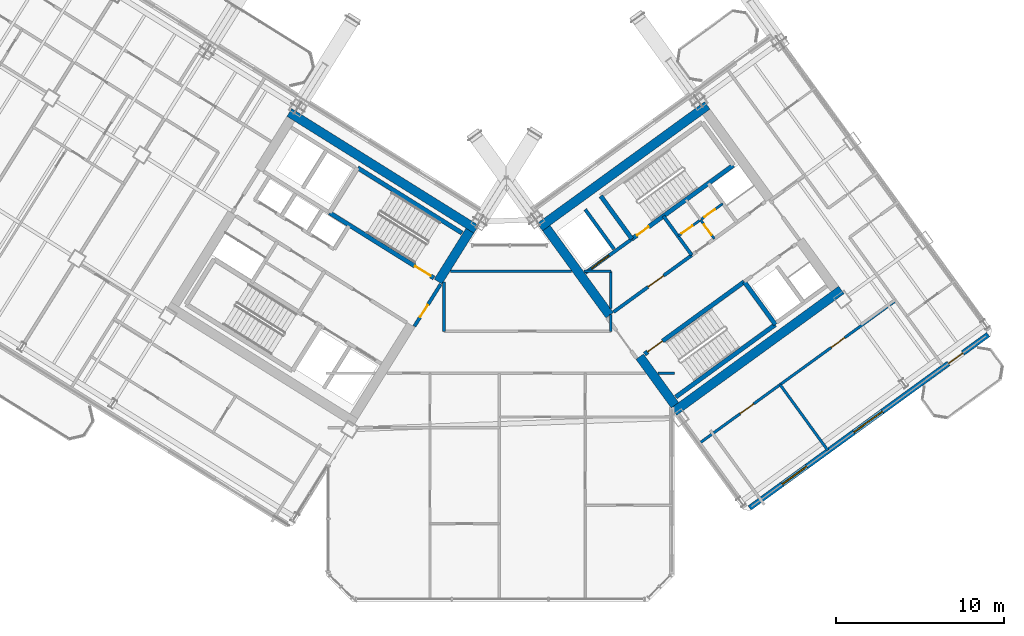
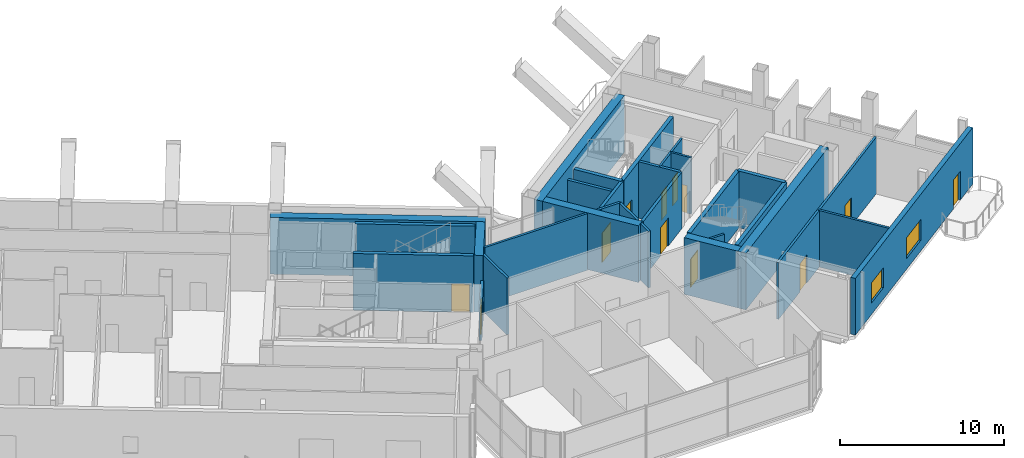
# One storey, part 25 of 34: 29 walls, 12 doors, 2 windows, 14 openings.
"""IFC4 building model written with IfcOpenShell, lengths in metres."""

from ifc_helpers import new_model, si_unit, direction, frame, frame_2d, origin, place, context, subcontext, project, spatial, rectangle, extrude, source, transform, mapped, material, layer, layer_set, type_object, element, fill, save


model = new_model("IFC4")

# Units and contexts
model_context = context("Model", 3, precision=1e-05, world=origin(), true_north=direction((0.0, 1.0)))
body_context = subcontext(model_context, "Body", "Model", "MODEL_VIEW")
ifc_project = project(units=[si_unit("LENGTHUNIT", "METRE"), si_unit("AREAUNIT", "SQUARE_METRE"), si_unit("VOLUMEUNIT", "CUBIC_METRE"), si_unit("PLANEANGLEUNIT", "RADIAN"), si_unit("MASSUNIT", "GRAM", prefix="KILO")], contexts=[model_context])

# Site, building, storey
site_placement = place(None, origin())
site = spatial("IfcSite", under=ifc_project, at=site_placement, CompositionType="ELEMENT")
building_placement = place(site_placement, origin())
building = spatial("IfcBuilding", under=site, at=building_placement, Name="Tlacorven Tower", CompositionType="ELEMENT")
storey_placement = place(building_placement, frame((0.0, 0.0, 174.89990234375)))
storey = spatial("IfcBuildingStorey", under=building, at=storey_placement, Name="L44", CompositionType="ELEMENT", Elevation=174.89990234375)

# Walls
ifc_material_1 = material(Name="Concrete C60/75", Category="concrete")
ifc_layer_1 = layer(ifc_material_1, 0.550048828125)
ifc_layer_set_1 = layer_set([ifc_layer_1], Name="Concrete C60/75")
wall_type_1 = type_object("IfcWallType", Name="WL-COR-550", PredefinedType="SHEAR", material=ifc_layer_set_1)
wall_1_placement = place(storey_placement, frame((40.572998046875, 24.010009765625, 0.0), z_axis=(0.0, 0.0, 1.0), x_axis=(-0.848047359947, 0.529920442413, 0.0)))
element("IfcWall", 1, at=wall_1_placement, inside=storey, type_object=wall_type_1, Name="L44 W core shear wall S1", PredefinedType="SHEAR", context=body_context, shape_type="SweptSolid", body=[
    extrude(rectangle(XDim=13.139892578125, YDim=0.550048828125, at=frame_2d((6.56982421875, 0.0))), origin(), (0.0, 0.0, 1.0), 4.22021484375),
])
wall_2_placement = place(storey_placement, frame((40.194091796875, 23.92236328125, 0.0), z_axis=(0.0, 0.0, 1.0), x_axis=(-0.529888438328, -0.848067357541, 0.0)))
element("IfcWall", 2, at=wall_2_placement, inside=storey, type_object=wall_type_1, Name="L44 W core end wall E1.1", PredefinedType="SHEAR", context=body_context, shape_type="SweptSolid", body=[
    extrude(rectangle(XDim=3.574951171875, YDim=0.550048828125, at=frame_2d((1.78759765625, 0.0))), origin(), (0.0, 0.0, 1.0), 4.22021484375),
])
for number, where, z_axis, x_axis, name in (
    (3, (52.35888671875, 13.1396484375, 0.0), (0.0, 0.0, 1.0), (0.809014896919, 0.587788139183, 0.0), "L44 E core shear wall S1"),
    (4, (44.364990234375, 24.142333984375, 0.0), (0.0, 0.0, 1.0), (0.809024304885, 0.587775190107, 0.0), "L44 E core shear wall S2"),
):
    element("IfcWall", number, at=place(storey_placement, frame(where, z_axis=z_axis, x_axis=x_axis)), inside=storey, type_object=wall_type_1, Name=name, PredefinedType="SHEAR", context=body_context, shape_type="SweptSolid", body=[
        extrude(rectangle(XDim=12.340087890625, YDim=0.550048828125, at=frame_2d((6.169921875, 0.0))), origin(), (0.0, 0.0, 1.0), 4.22021484375),
    ])
wall_3_placement = place(storey_placement, frame((52.419677734375, 13.52392578125, 0.0), z_axis=(0.0, 0.0, 1.0), x_axis=(-0.587802113096, 0.809004744015, 0.0)))
element("IfcWall", 5, at=wall_3_placement, inside=storey, type_object=wall_type_1, Name="L44 E core end wall E1.1", PredefinedType="SHEAR", context=body_context, shape_type="SweptSolid", body=[
    extrude(rectangle(XDim=3.574951171875, YDim=0.550048828125, at=frame_2d((1.78759765625, 0.0))), origin(), (0.0, 0.0, 1.0), 4.22021484375),
])
wall_4_placement = place(storey_placement, frame((48.525634765625, 18.883544921875, 0.0), z_axis=(0.0, 0.0, 1.0), x_axis=(-0.587764933797, 0.809031756236, 0.0)))
element("IfcWall", 6, at=wall_4_placement, inside=storey, type_object=wall_type_1, Name="L44 E core end wall E1.2", PredefinedType="SHEAR", context=body_context, shape_type="SweptSolid", body=[
    extrude(rectangle(XDim=6.425048828125, YDim=0.550048828125, at=frame_2d((3.21240234375, 0.0))), origin(), (0.0, 0.0, 1.0), 4.22021484375),
])
ifc_material_2 = material(Name="Gypsum plasterboard acoustic partition", Category="gypsum")
ifc_layer_2 = layer(ifc_material_2, 0.159912109375)
ifc_layer_set_2 = layer_set([ifc_layer_2], Name="Gypsum plasterboard acoustic partition")
wall_type_2 = type_object("IfcWallType", Name="WL-DEM-160", PredefinedType="PARTITIONING", material=ifc_layer_set_2)
wall_5_placement = place(storey_placement, frame((51.41552734375, 15.419921875, 0.0), z_axis=(0.0, 0.0, 1.0), x_axis=(1.0, 0.0, 0.0)))
element("IfcWall", 7, at=wall_5_placement, inside=storey, type_object=wall_type_2, Name="L44 Knuckle Corridor South Wall", PredefinedType="PARTITIONING", context=body_context, shape_type="SweptSolid", body=[
    extrude(rectangle(XDim=0.984375, YDim=0.159912109375, at=frame_2d((0.4921875, 0.0))), origin(), (0.0, 0.0, 1.0), 4.210205078125),
])
wall_6_placement = place(storey_placement, frame((38.64990234375, 17.929931640625, 0.0), z_axis=(0.0, 0.0, 1.0), x_axis=(0.0, 1.0, 0.0)))
element("IfcWall", 8, at=wall_6_placement, inside=storey, type_object=wall_type_2, Name="L44 partition 72", PredefinedType="PARTITIONING", context=body_context, shape_type="SweptSolid", body=[
    extrude(rectangle(XDim=2.951416015625, YDim=0.159912109375, at=frame_2d((1.4755859375, 0.0))), origin(), (0.0, 0.0, 1.0), 4.210205078125),
])
wall_7_placement = place(storey_placement, frame((48.60009765625, 17.929931640625, 0.0), z_axis=(0.0, 0.0, 1.0), x_axis=(0.0, 1.0, 0.0)))
element("IfcWall", 9, at=wall_7_placement, inside=storey, type_object=wall_type_2, Name="L44 partition 73", PredefinedType="PARTITIONING", context=body_context, shape_type="SweptSolid", body=[
    extrude(rectangle(XDim=0.99267578125, YDim=0.159912109375, at=frame_2d((0.496337890625, 0.0))), origin(), (0.0, 0.0, 1.0), 4.210205078125),
])
wall_8_placement = place(storey_placement, frame((48.60009765625, 19.295166015625, 0.0), z_axis=(0.0, 0.0, 1.0), x_axis=(0.0, 1.0, 0.0)))
element("IfcWall", 10, at=wall_8_placement, inside=storey, type_object=wall_type_2, Name="L44 partition 73", PredefinedType="PARTITIONING", context=body_context, shape_type="SweptSolid", body=[
    extrude(rectangle(XDim=2.204833984375, YDim=0.159912109375, at=frame_2d((1.1025390625, 0.0))), origin(), (0.0, 0.0, 1.0), 4.210205078125),
])
wall_9_placement = place(storey_placement, frame((39.03662109375, 21.5, 0.0), z_axis=(0.0, 0.0, 1.0), x_axis=(1.0, 0.0, 0.0)))
element("IfcWall", 11, at=wall_9_placement, inside=storey, type_object=wall_type_2, Name="L44 partition 74", PredefinedType="PARTITIONING", context=body_context, shape_type="SweptSolid", body=[
    extrude(rectangle(XDim=7.21484375, YDim=0.159912109375, at=frame_2d((3.607421875, 0.0))), origin(), (0.0, 0.0, 1.0), 4.210205078125),
])
wall_10_placement = place(storey_placement, frame((46.998046875, 21.5, 0.0), z_axis=(0.0, 0.0, 1.0), x_axis=(1.0, 0.0, 0.0)))
element("IfcWall", 12, at=wall_10_placement, inside=storey, type_object=wall_type_2, Name="L44 partition 74", PredefinedType="PARTITIONING", context=body_context, shape_type="SweptSolid", body=[
    extrude(rectangle(XDim=1.60205078125, YDim=0.159912109375, at=frame_2d((0.801025390625, 0.0))), origin(), (0.0, 0.0, 1.0), 4.210205078125),
])

# Wall, openings, doors
wall_11_placement = place(storey_placement, frame((53.70458984375, 11.1259765625, 0.0), z_axis=(0.0, 0.0, 1.0), x_axis=(0.809014504436, 0.587788679384, 0.0)))
wall_11 = element("IfcWall", 13, at=wall_11_placement, inside=storey, type_object=wall_type_2, Name="L44 partition 95", PredefinedType="PARTITIONING", context=body_context, shape_type="SweptSolid", body=[
    extrude(rectangle(XDim=14.669921875, YDim=0.159912109375, at=frame_2d((7.3349609375, 0.0))), origin(), (0.0, 0.0, 1.0), 4.210205078125),
])
opening_1_placement = place(wall_11_placement, frame((3.215087890625, 0.0, 0.0)))
opening_1 = element("IfcOpeningElement", 14, at=opening_1_placement, cuts=wall_11, Name="Opening D11", PredefinedType="OPENING", context=body_context, shape_type="SweptSolid", body=[
    extrude(rectangle(XDim=1.0, YDim=2.10009765625, at=frame_2d((0.5, 1.050048828125))), frame((0.0, 0.08984375, 0.0), z_axis=(0.0, -1.0, 0.0), x_axis=(1.0, 0.0, 0.0)), (0.0, 0.0, 1.0), 0.179931640625),
])
opening_2_placement = place(wall_11_placement, frame((9.9150390625, 0.0, 0.0)))
opening_2 = element("IfcOpeningElement", 15, at=opening_2_placement, cuts=wall_11, Name="Opening D11", PredefinedType="OPENING", context=body_context, shape_type="SweptSolid", body=[
    extrude(rectangle(XDim=1.0, YDim=2.10009765625, at=frame_2d((0.5, 1.050048828125))), frame((0.0, 0.08984375, 0.0), z_axis=(0.0, -1.0, 0.0), x_axis=(1.0, 0.0, 0.0)), (0.0, 0.0, 1.0), 0.179931640625),
])
ifc_material_3 = material(Name="Fire-rated steel door assembly", Category="steel")
door_type_1 = type_object("IfcDoorType", Name="DR-FLT-FD60-1000", OperationType="NOTDEFINED", PredefinedType="DOOR", material=ifc_material_3)
shared_shape_1 = source(origin(), body_context, "Body", "SweptSolid", [
    extrude(rectangle(XDim=1.0, YDim=2.10009765625, at=frame_2d((0.5, 1.050048828125))), frame((0.0, 0.02490234375, 0.0), z_axis=(0.0, -1.0, 0.0), x_axis=(1.0, 0.0, 0.0)), (0.0, 0.0, 1.0), 0.050048828125),
])
door_1_placement = place(opening_1_placement, origin())
door_1 = element("IfcDoor", 16, at=door_1_placement, inside=storey, type_object=door_type_1, Name="L44 door 061", OperationType="SINGLE_SWING_RIGHT", OverallHeight=2.10009765625, OverallWidth=1.0, PredefinedType="DOOR", context=body_context, shape_type="MappedRepresentation", body=[
    mapped(shared_shape_1, transform((0.0, 0.0, 0.0), scale=1.0)),
])
fill(opening_1, door_1)
door_2_placement = place(opening_2_placement, origin())
door_2 = element("IfcDoor", 17, at=door_2_placement, inside=storey, type_object=door_type_1, Name="L44 door 062", OperationType="SINGLE_SWING_LEFT", OverallHeight=2.10009765625, OverallWidth=1.0, PredefinedType="DOOR", context=body_context, shape_type="MappedRepresentation", body=[
    mapped(shared_shape_1, transform((0.0, 0.0, 0.0), scale=1.0)),
])
fill(opening_2, door_2)

# Wall
wall_12_placement = place(storey_placement, frame((61.538818359375, 10.822998046875, 0.0), z_axis=(0.0, 0.0, 1.0), x_axis=(-0.587785532001, 0.809016791155, 0.0)))
element("IfcWall", 18, at=wall_12_placement, inside=storey, type_object=wall_type_2, Name="L44 EC Demising Wall 1", PredefinedType="PARTITIONING", context=body_context, shape_type="SweptSolid", body=[
    extrude(rectangle(XDim=4.85009765625, YDim=0.159912109375, at=frame_2d((2.425048828125, 0.0))), origin(), (0.0, 0.0, 1.0), 4.210205078125),
])

# Wall, openings, door, windows
ifc_material_4 = material(Name="Precast concrete C45/55", Category="concrete")
ifc_layer_3 = layer(ifc_material_4, 0.320068359375)
ifc_layer_set_3 = layer_set([ifc_layer_3], Name="Precast concrete C45/55")
wall_type_3 = type_object("IfcWallType", Name="WL-EXT-320", PredefinedType="STANDARD", material=ifc_layer_set_3)
wall_13_placement = place(storey_placement, frame((71.097900390625, 17.73095703125, 0.0), z_axis=(0.0, 0.0, 1.0), x_axis=(-0.809021120468, -0.587779573171, 0.0)))
wall_13 = element("IfcWall", 19, at=wall_13_placement, inside=storey, type_object=wall_type_3, Name="L44 Masonry-Frame Recessed Facade Wall 6", PredefinedType="STANDARD", context=body_context, shape_type="SweptSolid", body=[
    extrude(rectangle(XDim=17.587646484375, YDim=0.320068359375, at=frame_2d((8.7939453125, 0.0))), origin(), (0.0, 0.0, 1.0), 4.22021484375),
])
opening_3_placement = place(wall_13_placement, frame((1.87548828125, 0.0, 0.0)))
opening_3 = element("IfcOpeningElement", 20, at=opening_3_placement, cuts=wall_13, Name="Opening D06", PredefinedType="OPENING", context=body_context, shape_type="SweptSolid", body=[
    extrude(rectangle(XDim=1.050048828125, YDim=2.14990234375, at=frame_2d((0.52490234375, 1.074951171875))), frame((0.0, 0.169921875, 0.0), z_axis=(0.0, -1.0, 0.0), x_axis=(1.0, 0.0, 0.0)), (0.0, 0.0, 1.0), 0.340087890625),
])
opening_4_placement = place(wall_13_placement, frame((7.800537109375, 0.0, 0.800048828125)))
opening_4 = element("IfcOpeningElement", 21, at=opening_4_placement, cuts=wall_13, Name="Opening WN04", PredefinedType="OPENING", context=body_context, shape_type="SweptSolid", body=[
    extrude(rectangle(XDim=2.10009765625, YDim=1.550048828125, at=frame_2d((1.050048828125, 0.77490234375))), frame((0.0, 0.169921875, 0.0), z_axis=(0.0, -1.0, 0.0), x_axis=(1.0, 0.0, 0.0)), (0.0, 0.0, 1.0), 0.340087890625),
])
opening_5_placement = place(wall_13_placement, frame((13.378662109375, 0.0, 0.85009765625)))
opening_5 = element("IfcOpeningElement", 22, at=opening_5_placement, cuts=wall_13, Name="Opening WN01", PredefinedType="OPENING", context=body_context, shape_type="SweptSolid", body=[
    extrude(rectangle(XDim=1.800048828125, YDim=1.5, at=frame_2d((0.89990234375, 0.75))), frame((0.0, 0.169921875, 0.0), z_axis=(0.0, -1.0, 0.0), x_axis=(1.0, 0.0, 0.0)), (0.0, 0.0, 1.0), 0.340087890625),
])
ifc_material_5 = material(Name="Powder-coated aluminium and timber door", Category="wood")
door_type_2 = type_object("IfcDoorType", Name="DR-EXT-BALC-1050", OperationType="NOTDEFINED", PredefinedType="DOOR", material=ifc_material_5)
shared_shape_2 = source(origin(), body_context, "Body", "SweptSolid", [
    extrude(rectangle(XDim=1.050048828125, YDim=2.14990234375, at=frame_2d((0.52490234375, 1.074951171875))), frame((0.0, 0.02490234375, 0.0), z_axis=(0.0, -1.0, 0.0), x_axis=(1.0, 0.0, 0.0)), (0.0, 0.0, 1.0), 0.050048828125),
])
door_3_placement = place(opening_3_placement, origin())
door_3 = element("IfcDoor", 23, at=door_3_placement, inside=storey, type_object=door_type_2, Name="L44 Outdoor Access Door BAL-L44-E-OUT", OperationType="SINGLE_SWING_LEFT", OverallHeight=2.14990234375, OverallWidth=1.050048828125, PredefinedType="DOOR", context=body_context, shape_type="MappedRepresentation", body=[
    mapped(shared_shape_2, transform((0.0, 0.0, 0.0), scale=1.0)),
])
fill(opening_3, door_3)
ifc_material_6 = material(Name="Dark solar low-E double glazing in anodised aluminium frame", Category="aluminium")
window_type_1 = type_object("IfcWindowType", Name="WN-APT-2100X1750", PartitioningType="SINGLE_PANEL", PredefinedType="WINDOW", material=ifc_material_6)
shared_shape_3 = source(origin(), body_context, "Body", "SweptSolid", [
    extrude(rectangle(XDim=2.10009765625, YDim=1.550048828125, at=frame_2d((1.050048828125, 0.77490234375))), frame((0.0, 0.030029296875, 0.0), z_axis=(0.0, -1.0, 0.0), x_axis=(1.0, 0.0, 0.0)), (0.0, 0.0, 1.0), 0.06005859375),
])
window_1_placement = place(opening_4_placement, origin())
window_1 = element("IfcWindow", 24, at=window_1_placement, inside=storey, type_object=window_type_1, Name="L44 Recessed Masonry-Frame Window L44-06.1", OverallHeight=1.550048828125, OverallWidth=2.10009765625, PartitioningType="SINGLE_PANEL", PredefinedType="WINDOW", context=body_context, shape_type="MappedRepresentation", body=[
    mapped(shared_shape_3, transform((0.0, 0.0, 0.0), scale=1.0)),
])
fill(opening_4, window_1)
window_type_2 = type_object("IfcWindowType", Name="WN-APT-1800X1650", PartitioningType="SINGLE_PANEL", PredefinedType="WINDOW", material=ifc_material_6)
shared_shape_4 = source(origin(), body_context, "Body", "SweptSolid", [
    extrude(rectangle(XDim=1.800048828125, YDim=1.5, at=frame_2d((0.89990234375, 0.75))), frame((0.0, 0.030029296875, 0.0), z_axis=(0.0, -1.0, 0.0), x_axis=(1.0, 0.0, 0.0)), (0.0, 0.0, 1.0), 0.06005859375),
])
window_2_placement = place(opening_5_placement, origin())
window_2 = element("IfcWindow", 25, at=window_2_placement, inside=storey, type_object=window_type_2, Name="L44 Recessed Masonry-Frame Window L44-06.2", OverallHeight=1.5, OverallWidth=1.800048828125, PartitioningType="SINGLE_PANEL", PredefinedType="WINDOW", context=body_context, shape_type="MappedRepresentation", body=[
    mapped(shared_shape_4, transform((0.0, 0.0, 0.0), scale=1.0)),
])
fill(opening_5, window_2)

# Wall, opening, door
ifc_material_7 = material(Name="Moisture-resistant gypsum plumbing wall", Category="gypsum")
ifc_layer_4 = layer(ifc_material_7, 0.139892578125)
ifc_layer_set_4 = layer_set([ifc_layer_4], Name="Moisture-resistant gypsum plumbing wall")
wall_type_4 = type_object("IfcWallType", Name="WL-PLM-140", PredefinedType="PLUMBINGWALL", material=ifc_layer_set_4)
wall_14_placement = place(storey_placement, frame((54.767578125, 23.443359375, 0.0), z_axis=(0.0, 0.0, 1.0), x_axis=(-0.587736077749, 0.809052719489, 0.0)))
wall_14 = element("IfcWall", 26, at=wall_14_placement, inside=storey, type_object=wall_type_4, Name="L44 partition 42", PredefinedType="PLUMBINGWALL", context=body_context, shape_type="SweptSolid", body=[
    extrude(rectangle(XDim=1.39990234375, YDim=0.139892578125, at=frame_2d((0.699951171875, 0.0))), origin(), (0.0, 0.0, 1.0), 4.210205078125),
])
opening_6_placement = place(wall_14_placement, frame((0.280029296875, 0.0, 0.0)))
opening_6 = element("IfcOpeningElement", 27, at=opening_6_placement, cuts=wall_14, Name="Opening D22", PredefinedType="OPENING", context=body_context, shape_type="SweptSolid", body=[
    extrude(rectangle(XDim=0.780029296875, YDim=2.050048828125, at=frame_2d((0.39013671875, 1.02490234375))), frame((0.0, 0.080078125, 0.0), z_axis=(0.0, -1.0, 0.0), x_axis=(1.0, 0.0, 0.0)), (0.0, 0.0, 1.0), 0.159912109375),
])
door_type_3 = type_object("IfcDoorType", Name="DR-INT-WET-0780", OperationType="NOTDEFINED", PredefinedType="DOOR", material=ifc_material_5)
shared_shape_5 = source(origin(), body_context, "Body", "SweptSolid", [
    extrude(rectangle(XDim=0.780029296875, YDim=2.050048828125, at=frame_2d((0.39013671875, 1.02490234375))), frame((0.0, 0.02490234375, 0.0), z_axis=(0.0, -1.0, 0.0), x_axis=(1.0, 0.0, 0.0)), (0.0, 0.0, 1.0), 0.050048828125),
])
door_4_placement = place(opening_6_placement, origin())
door_4 = element("IfcDoor", 28, at=door_4_placement, inside=storey, type_object=door_type_3, Name="L44 door 020", OperationType="SINGLE_SWING_RIGHT", OverallHeight=2.050048828125, OverallWidth=0.780029296875, PredefinedType="DOOR", context=body_context, shape_type="MappedRepresentation", body=[
    mapped(shared_shape_5, transform((0.0, 0.0, 0.0), scale=1.0)),
])
fill(opening_6, door_4)

# Wall, openings, doors
wall_15_placement = place(storey_placement, frame((52.617919921875, 23.612060546875, 0.0), z_axis=(0.0, 0.0, 1.0), x_axis=(0.809009587469, 0.587795446889, 0.0)))
wall_15 = element("IfcWall", 29, at=wall_15_placement, inside=storey, type_object=wall_type_4, Name="L44 partition 44", PredefinedType="PLUMBINGWALL", context=body_context, shape_type="SweptSolid", body=[
    extrude(rectangle(XDim=3.280029296875, YDim=0.139892578125, at=frame_2d((1.64013671875, 0.0))), origin(), (0.0, 0.0, 1.0), 4.210205078125),
])
opening_7_placement = place(wall_15_placement, frame((0.25, 0.0, 0.0)))
opening_7 = element("IfcOpeningElement", 30, at=opening_7_placement, cuts=wall_15, Name="Opening D22", PredefinedType="OPENING", context=body_context, shape_type="SweptSolid", body=[
    extrude(rectangle(XDim=0.780029296875, YDim=2.050048828125, at=frame_2d((0.39013671875, 1.02490234375))), frame((0.0, 0.080078125, 0.0), z_axis=(0.0, -1.0, 0.0), x_axis=(1.0, 0.0, 0.0)), (0.0, 0.0, 1.0), 0.159912109375),
])
opening_8_placement = place(wall_15_placement, frame((1.919921875, 0.0, 0.0)))
opening_8 = element("IfcOpeningElement", 31, at=opening_8_placement, cuts=wall_15, Name="Opening D22", PredefinedType="OPENING", context=body_context, shape_type="SweptSolid", body=[
    extrude(rectangle(XDim=0.780029296875, YDim=2.050048828125, at=frame_2d((0.39013671875, 1.02490234375))), frame((0.0, 0.080078125, 0.0), z_axis=(0.0, -1.0, 0.0), x_axis=(1.0, 0.0, 0.0)), (0.0, 0.0, 1.0), 0.159912109375),
])
door_5_placement = place(opening_7_placement, origin())
door_5 = element("IfcDoor", 32, at=door_5_placement, inside=storey, type_object=door_type_3, Name="L44 door 021", OperationType="SINGLE_SWING_LEFT", OverallHeight=2.050048828125, OverallWidth=0.780029296875, PredefinedType="DOOR", context=body_context, shape_type="MappedRepresentation", body=[
    mapped(shared_shape_5, transform((0.0, 0.0, 0.0), scale=1.0)),
])
fill(opening_7, door_5)
door_6_placement = place(opening_8_placement, origin())
door_6 = element("IfcDoor", 33, at=door_6_placement, inside=storey, type_object=door_type_3, Name="L44 door 022", OperationType="SINGLE_SWING_RIGHT", OverallHeight=2.050048828125, OverallWidth=0.780029296875, PredefinedType="DOOR", context=body_context, shape_type="MappedRepresentation", body=[
    mapped(shared_shape_5, transform((0.0, 0.0, 0.0), scale=1.0)),
])
fill(opening_8, door_6)

# Wall, opening, door
ifc_material_8 = material(Name="Concrete C40/50", Category="concrete")
ifc_layer_5 = layer(ifc_material_8, 0.199951171875)
ifc_layer_set_5 = layer_set([ifc_layer_5], Name="Concrete C40/50")
wall_type_5 = type_object("IfcWallType", Name="WL-SHF-200", PredefinedType="STANDARD", material=ifc_layer_set_5)
wall_16_placement = place(storey_placement, frame((47.0654296875, 21.4072265625, 0.0), z_axis=(0.0, 0.0, 1.0), x_axis=(0.809032984992, 0.587763242466, 0.0)))
wall_16 = element("IfcWall", 34, at=wall_16_placement, inside=storey, type_object=wall_type_5, Name="L44 Core E Firefighting Lift Shaft Front Wall", PredefinedType="STANDARD", context=body_context, shape_type="SweptSolid", body=[
    extrude(rectangle(XDim=3.447998046875, YDim=0.199951171875, at=frame_2d((1.72412109375, 0.0))), origin(), (0.0, 0.0, 1.0), 4.210205078125),
])
opening_9_placement = place(wall_16_placement, frame((0.4580078125, 0.0, 0.0)))
opening_9 = element("IfcOpeningElement", 35, at=opening_9_placement, cuts=wall_16, Name="Opening LD03", PredefinedType="OPENING", context=body_context, shape_type="SweptSolid", body=[
    extrude(rectangle(XDim=1.300048828125, YDim=2.199951171875, at=frame_2d((0.64990234375, 1.10009765625))), frame((0.0, 0.10986328125, 0.0), z_axis=(0.0, -1.0, 0.0), x_axis=(1.0, 0.0, 0.0)), (0.0, 0.0, 1.0), 0.219970703125),
])
door_type_4 = type_object("IfcDoorType", Name="DR-LFT-SLID-1300", OperationType="DOUBLE_DOOR_SLIDING", PredefinedType="DOOR", material=ifc_material_3)
shared_shape_6 = source(origin(), body_context, "Body", "SweptSolid", [
    extrude(rectangle(XDim=1.300048828125, YDim=2.199951171875, at=frame_2d((0.64990234375, 1.10009765625))), frame((0.0, 0.02490234375, 0.0), z_axis=(0.0, -1.0, 0.0), x_axis=(1.0, 0.0, 0.0)), (0.0, 0.0, 1.0), 0.050048828125),
])
door_7_placement = place(opening_9_placement, origin())
door_7 = element("IfcDoor", 36, at=door_7_placement, inside=storey, type_object=door_type_4, Name="L44 Lift FFL-E1 Sliding Landing Door", OperationType="DOUBLE_DOOR_SLIDING", OverallHeight=2.199951171875, OverallWidth=1.300048828125, PredefinedType="DOOR", context=body_context, shape_type="MappedRepresentation", body=[
    mapped(shared_shape_6, transform((0.0, 0.0, 0.0), scale=1.0)),
])
fill(opening_9, door_7)

wall_17_placement = place(storey_placement, frame((48.75830078125, 19.0771484375, 0.0), z_axis=(0.0, 0.0, 1.0), x_axis=(0.809005065155, 0.587801671104, 0.0)))
wall_17 = element("IfcWall", 37, at=wall_17_placement, inside=storey, type_object=wall_type_5, Name="L44 Core E Smoke Lobby Wall", PredefinedType="STANDARD", context=body_context, shape_type="SweptSolid", body=[
    extrude(rectangle(XDim=5.767822265625, YDim=0.199951171875, at=frame_2d((2.8837890625, 0.0))), origin(), (0.0, 0.0, 1.0), 4.210205078125),
])
opening_10_placement = place(wall_17_placement, frame((2.548095703125, 0.0, 0.0)))
opening_10 = element("IfcOpeningElement", 38, at=opening_10_placement, cuts=wall_17, Name="Opening D09", PredefinedType="OPENING", context=body_context, shape_type="SweptSolid", body=[
    extrude(rectangle(XDim=1.14990234375, YDim=2.10009765625, at=frame_2d((0.574951171875, 1.050048828125))), frame((0.0, 0.10986328125, 0.0), z_axis=(0.0, -1.0, 0.0), x_axis=(1.0, 0.0, 0.0)), (0.0, 0.0, 1.0), 0.219970703125),
])
door_type_5 = type_object("IfcDoorType", Name="DR-FFL-FD60-1150", OperationType="NOTDEFINED", PredefinedType="DOOR", material=ifc_material_3)
shared_shape_7 = source(origin(), body_context, "Body", "SweptSolid", [
    extrude(rectangle(XDim=1.14990234375, YDim=2.10009765625, at=frame_2d((0.574951171875, 1.050048828125))), frame((0.0, 0.02490234375, 0.0), z_axis=(0.0, -1.0, 0.0), x_axis=(1.0, 0.0, 0.0)), (0.0, 0.0, 1.0), 0.050048828125),
])
door_8_placement = place(opening_10_placement, origin())
door_8 = element("IfcDoor", 39, at=door_8_placement, inside=storey, type_object=door_type_5, Name="L44 Firefighting Lobby E Fire Door", OperationType="SINGLE_SWING_RIGHT", OverallHeight=2.10009765625, OverallWidth=1.14990234375, PredefinedType="DOOR", context=body_context, shape_type="MappedRepresentation", body=[
    mapped(shared_shape_7, transform((0.0, 0.0, 0.0), scale=1.0)),
])
fill(opening_10, door_8)

# Walls
wall_18_placement = place(storey_placement, frame((48.78564453125, 22.830078125, 0.0), z_axis=(0.0, 0.0, 1.0), x_axis=(-0.587783856777, 0.809018008275, 0.0)))
element("IfcWall", 40, at=wall_18_placement, inside=storey, type_object=wall_type_5, Name="L44 partition 34", PredefinedType="STANDARD", context=body_context, shape_type="SweptSolid", body=[
    extrude(rectangle(XDim=2.919921875, YDim=0.199951171875, at=frame_2d((1.4599609375, 0.0))), origin(), (0.0, 0.0, 1.0), 4.210205078125),
])
wall_19_placement = place(storey_placement, frame((53.424560546875, 22.467529296875, 0.0), z_axis=(0.0, 0.0, 1.0), x_axis=(-0.5877230039, 0.809062216821, 0.0)))
element("IfcWall", 41, at=wall_19_placement, inside=storey, type_object=wall_type_5, Name="L44 partition 39", PredefinedType="STANDARD", context=body_context, shape_type="SweptSolid", body=[
    extrude(rectangle(XDim=2.8798828125, YDim=0.199951171875, at=frame_2d((1.43994140625, 0.0))), origin(), (0.0, 0.0, 1.0), 4.210205078125),
])

# Wall, opening, door
wall_20_placement = place(storey_placement, frame((38.451416015625, 20.737060546875, 0.0), z_axis=(0.0, 0.0, 1.0), x_axis=(-0.529924799939, -0.848044637038, 0.0)))
wall_20 = element("IfcWall", 42, at=wall_20_placement, inside=storey, type_object=wall_type_5, Name="L44 partition 69", PredefinedType="STANDARD", context=body_context, shape_type="SweptSolid", body=[
    extrude(rectangle(XDim=2.9599609375, YDim=0.199951171875, at=frame_2d((1.47998046875, 0.0))), origin(), (0.0, 0.0, 1.0), 2.39501953125),
])
opening_11_placement = place(wall_20_placement, frame((1.4599609375, 0.0, 0.0)))
opening_11 = element("IfcOpeningElement", 43, at=opening_11_placement, cuts=wall_20, Name="Opening D19", PredefinedType="OPENING", context=body_context, shape_type="SweptSolid", body=[
    extrude(rectangle(XDim=0.860107421875, YDim=2.050048828125, at=frame_2d((0.43017578125, 1.02490234375))), frame((0.0, 0.10986328125, 0.0), z_axis=(0.0, -1.0, 0.0), x_axis=(1.0, 0.0, 0.0)), (0.0, 0.0, 1.0), 0.219970703125),
])
door_type_6 = type_object("IfcDoorType", Name="DR-RSR-FD60-0860", OperationType="NOTDEFINED", PredefinedType="DOOR", material=ifc_material_3)
shared_shape_8 = source(origin(), body_context, "Body", "SweptSolid", [
    extrude(rectangle(XDim=0.860107421875, YDim=2.050048828125, at=frame_2d((0.43017578125, 1.02490234375))), frame((0.0, 0.02490234375, 0.0), z_axis=(0.0, -1.0, 0.0), x_axis=(1.0, 0.0, 0.0)), (0.0, 0.0, 1.0), 0.050048828125),
])
door_9_placement = place(opening_11_placement, frame((0.860107421875, 0.0, 0.0), z_axis=(0.0, 0.0, 1.0), x_axis=(-1.0, 0.0, 0.0)))
door_9 = element("IfcDoor", 44, at=door_9_placement, inside=storey, type_object=door_type_6, Name="L44 door 043", OperationType="SINGLE_SWING_LEFT", OverallHeight=2.050048828125, OverallWidth=0.860107421875, PredefinedType="DOOR", context=body_context, shape_type="MappedRepresentation", body=[
    mapped(shared_shape_8, transform((0.0, 0.0, 0.0), scale=1.0)),
])
fill(opening_11, door_9)

# Wall
ifc_material_9 = material(Name="Concrete C50/60", Category="concrete")
ifc_layer_6 = layer(ifc_material_9, 0.260009765625)
ifc_layer_set_6 = layer_set([ifc_layer_6], Name="Concrete C50/60")
wall_type_6 = type_object("IfcWallType", Name="WL-STW-260", PredefinedType="SHEAR", material=ifc_layer_set_6)
wall_21_placement = place(storey_placement, frame((39.720947265625, 23.787841796875, 0.0), z_axis=(0.0, 0.0, 1.0), x_axis=(-0.848054434086, 0.529909121291, 0.0)))
element("IfcWall", 45, at=wall_21_placement, inside=storey, type_object=wall_type_6, Name="L44 Stair W2 Far Shear Wall", PredefinedType="SHEAR", context=body_context, shape_type="SweptSolid", body=[
    extrude(rectangle(XDim=7.330078125, YDim=0.260009765625, at=frame_2d((3.6650390625, 0.0))), origin(), (0.0, 0.0, 1.0), 4.22021484375),
])

# Wall, opening, door
wall_22_placement = place(storey_placement, frame((38.04638671875, 21.10791015625, 0.0), z_axis=(0.0, 0.0, 1.0), x_axis=(-0.848054434086, 0.529909121291, 0.0)))
wall_22 = element("IfcWall", 46, at=wall_22_placement, inside=storey, type_object=wall_type_6, Name="L44 Stair W2 Lobby Shear Wall", PredefinedType="SHEAR", context=body_context, shape_type="SweptSolid", body=[
    extrude(rectangle(XDim=7.330078125, YDim=0.260009765625, at=frame_2d((3.6650390625, 0.0))), origin(), (0.0, 0.0, 1.0), 4.22021484375),
])
opening_12_placement = place(wall_22_placement, frame((0.219970703125, 0.0, 0.0)))
opening_12 = element("IfcOpeningElement", 47, at=opening_12_placement, cuts=wall_22, Name="Opening D07", PredefinedType="OPENING", context=body_context, shape_type="SweptSolid", body=[
    extrude(rectangle(XDim=1.10009765625, YDim=2.10009765625, at=frame_2d((0.550048828125, 1.050048828125))), frame((0.0, 0.14013671875, 0.0), z_axis=(0.0, -1.0, 0.0), x_axis=(1.0, 0.0, 0.0)), (0.0, 0.0, 1.0), 0.280029296875),
])
door_type_7 = type_object("IfcDoorType", Name="DR-STR-FD90-1100", OperationType="NOTDEFINED", PredefinedType="DOOR", material=ifc_material_3)
shared_shape_9 = source(origin(), body_context, "Body", "SweptSolid", [
    extrude(rectangle(XDim=1.10009765625, YDim=2.10009765625, at=frame_2d((0.550048828125, 1.050048828125))), frame((0.0, 0.02490234375, 0.0), z_axis=(0.0, -1.0, 0.0), x_axis=(1.0, 0.0, 0.0)), (0.0, 0.0, 1.0), 0.050048828125),
])
door_10_placement = place(opening_12_placement, origin())
door_10 = element("IfcDoor", 48, at=door_10_placement, inside=storey, type_object=door_type_7, Name="L44 Exit Stair W2 Fire Door", OperationType="SINGLE_SWING_LEFT", OverallHeight=2.10009765625, OverallWidth=1.10009765625, PredefinedType="DOOR", context=body_context, shape_type="MappedRepresentation", body=[
    mapped(shared_shape_9, transform((0.0, 0.0, 0.0), scale=1.0)),
])
fill(opening_12, door_10)

wall_23_placement = place(storey_placement, frame((49.863037109375, 23.439697265625, 0.0), z_axis=(0.0, 0.0, 1.0), x_axis=(0.809003474932, 0.587803859759, 0.0)))
wall_23 = element("IfcWall", 49, at=wall_23_placement, inside=storey, type_object=wall_type_6, Name="L44 Stair E1 Lobby Shear Wall", PredefinedType="SHEAR", context=body_context, shape_type="SweptSolid", body=[
    extrude(rectangle(XDim=7.4599609375, YDim=0.260009765625, at=frame_2d((3.72998046875, 0.0))), origin(), (0.0, 0.0, 1.0), 4.22021484375),
])
opening_13_placement = place(wall_23_placement, frame((0.360107421875, 0.0, 0.0)))
opening_13 = element("IfcOpeningElement", 50, at=opening_13_placement, cuts=wall_23, Name="Opening D19", PredefinedType="OPENING", context=body_context, shape_type="SweptSolid", body=[
    extrude(rectangle(XDim=0.860107421875, YDim=2.050048828125, at=frame_2d((0.43017578125, 1.02490234375))), frame((0.0, 0.14013671875, 0.0), z_axis=(0.0, -1.0, 0.0), x_axis=(1.0, 0.0, 0.0)), (0.0, 0.0, 1.0), 0.280029296875),
])
door_11_placement = place(opening_13_placement, frame((0.860107421875, 0.0, 0.0), z_axis=(0.0, 0.0, 1.0), x_axis=(-1.0, 0.0, 0.0)))
door_11 = element("IfcDoor", 51, at=door_11_placement, inside=storey, type_object=door_type_6, Name="L44 Exit Stair E1 Fire Door", OperationType="SINGLE_SWING_LEFT", OverallHeight=2.050048828125, OverallWidth=0.860107421875, PredefinedType="DOOR", context=body_context, shape_type="MappedRepresentation", body=[
    mapped(shared_shape_8, transform((0.0, 0.0, 0.0), scale=1.0)),
])
fill(opening_13, door_11)

# Walls
wall_24_placement = place(storey_placement, frame((49.85498046875, 23.433837890625, 0.0), z_axis=(0.0, 0.0, 1.0), x_axis=(-0.58776738483, 0.809029975545, 0.0)))
element("IfcWall", 52, at=wall_24_placement, inside=storey, type_object=wall_type_6, Name="L44 Stair E1 West Shear Wall", PredefinedType="SHEAR", context=body_context, shape_type="SweptSolid", body=[
    extrude(rectangle(XDim=3.16015625, YDim=0.260009765625, at=frame_2d((1.580078125, 0.0))), origin(), (0.0, 0.0, 1.0), 4.22021484375),
])
wall_25_placement = place(storey_placement, frame((52.47216796875, 14.01318359375, 0.0), z_axis=(0.0, 0.0, 1.0), x_axis=(0.809028366311, 0.587769599847, 0.0)))
element("IfcWall", 53, at=wall_25_placement, inside=storey, type_object=wall_type_6, Name="L44 Stair E2 Far Shear Wall", PredefinedType="SHEAR", context=body_context, shape_type="SweptSolid", body=[
    extrude(rectangle(XDim=7.330078125, YDim=0.260009765625, at=frame_2d((3.6650390625, 0.0))), origin(), (0.0, 0.0, 1.0), 4.22021484375),
])

# Wall, opening, door
wall_26_placement = place(storey_placement, frame((50.61474609375, 16.569580078125, 0.0), z_axis=(0.0, 0.0, 1.0), x_axis=(0.809028366311, 0.587769599847, 0.0)))
wall_26 = element("IfcWall", 54, at=wall_26_placement, inside=storey, type_object=wall_type_6, Name="L44 Stair E2 Lobby Shear Wall", PredefinedType="SHEAR", context=body_context, shape_type="SweptSolid", body=[
    extrude(rectangle(XDim=7.330078125, YDim=0.260009765625, at=frame_2d((3.6650390625, 0.0))), origin(), (0.0, 0.0, 1.0), 4.22021484375),
])
opening_14_placement = place(wall_26_placement, frame((0.219970703125, 0.0, 0.0)))
opening_14 = element("IfcOpeningElement", 55, at=opening_14_placement, cuts=wall_26, Name="Opening D07", PredefinedType="OPENING", context=body_context, shape_type="SweptSolid", body=[
    extrude(rectangle(XDim=1.10009765625, YDim=2.10009765625, at=frame_2d((0.550048828125, 1.050048828125))), frame((0.0, 0.14013671875, 0.0), z_axis=(0.0, -1.0, 0.0), x_axis=(1.0, 0.0, 0.0)), (0.0, 0.0, 1.0), 0.280029296875),
])
door_12_placement = place(opening_14_placement, origin())
door_12 = element("IfcDoor", 56, at=door_12_placement, inside=storey, type_object=door_type_7, Name="L44 Exit Stair E2 Fire Door", OperationType="SINGLE_SWING_LEFT", OverallHeight=2.10009765625, OverallWidth=1.10009765625, PredefinedType="DOOR", context=body_context, shape_type="MappedRepresentation", body=[
    mapped(shared_shape_9, transform((0.0, 0.0, 0.0), scale=1.0)),
])
fill(opening_14, door_12)

# Wall
wall_27_placement = place(storey_placement, frame((58.410400390625, 18.327392578125, 0.0), z_axis=(0.0, 0.0, 1.0), x_axis=(-0.58776738483, 0.809029975545, 0.0)))
element("IfcWall", 57, at=wall_27_placement, inside=storey, type_object=wall_type_6, Name="L44 Stair E2 East Shear Wall", PredefinedType="SHEAR", context=body_context, shape_type="SweptSolid", body=[
    extrude(rectangle(XDim=3.16015625, YDim=0.260009765625, at=frame_2d((1.580078125, 0.0))), origin(), (0.0, 0.0, 1.0), 4.22021484375),
])

save(model, "model.ifc")
